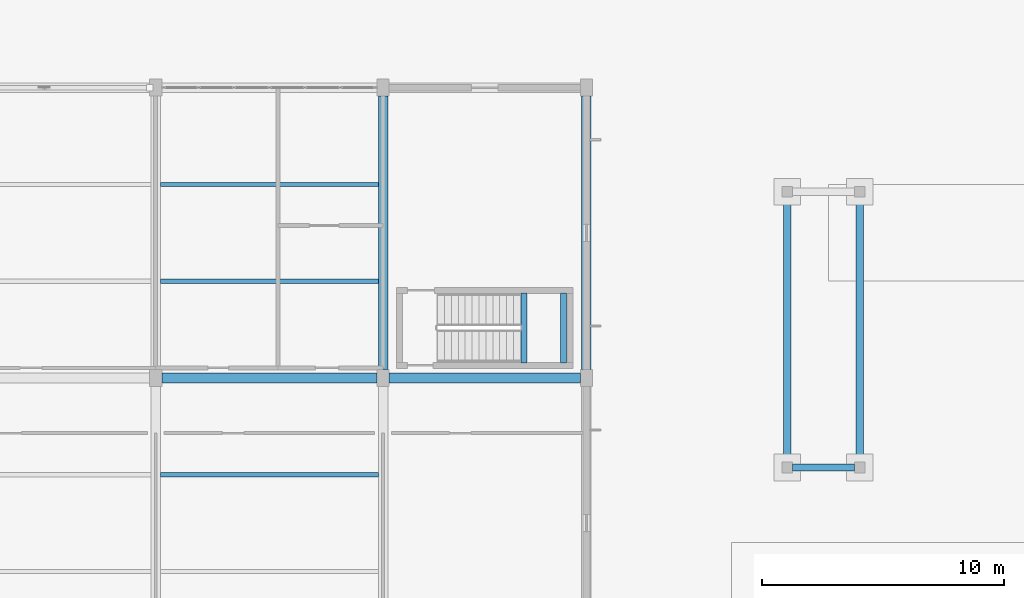
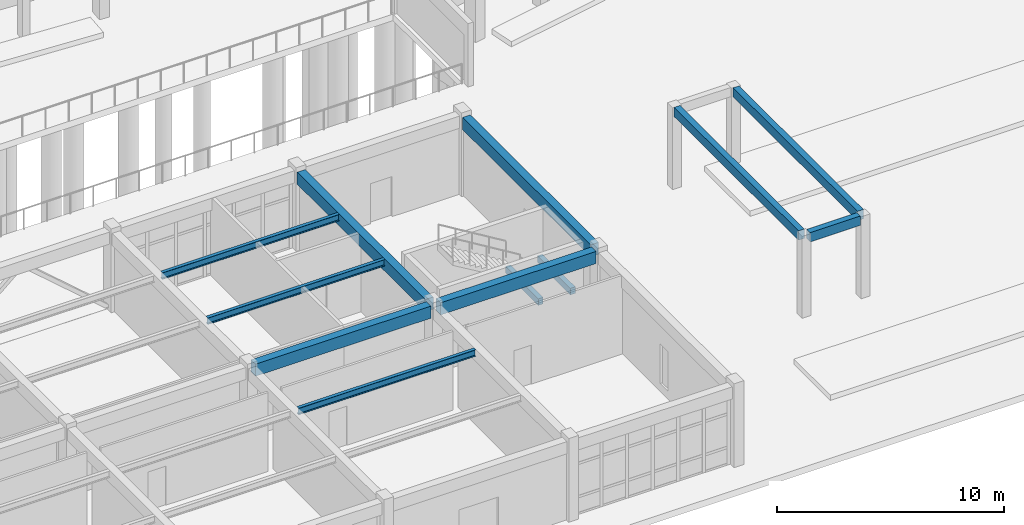
# One storey, part 43 of 154: 12 beams.
"""IFC4 building model written with IfcOpenShell, lengths in metres."""

from ifc_helpers import new_model, si_unit, direction, frame, origin, origin_2d, place, context, subcontext, project, spatial, rectangle, i_section, extrude, material, material_profile, profile_set, type_object, element, save


model = new_model("IFC4")

# Units and contexts
model_context = context("Model", 3, precision=1e-05, world=origin(), true_north=direction((0.0, 1.0)))
body_context = subcontext(model_context, "Body", "Model", "MODEL_VIEW")
ifc_project = project(units=[si_unit("LENGTHUNIT", "METRE"), si_unit("AREAUNIT", "SQUARE_METRE"), si_unit("VOLUMEUNIT", "CUBIC_METRE"), si_unit("PLANEANGLEUNIT", "RADIAN"), si_unit("MASSUNIT", "GRAM", prefix="KILO")], contexts=[model_context])

# Site, building, storey
site_placement = place(None, origin())
site = spatial("IfcSite", under=ifc_project, at=site_placement, CompositionType="ELEMENT")
building_placement = place(site_placement, origin())
building = spatial("IfcBuilding", under=site, at=building_placement, Name="Kestramere Prow Commons", CompositionType="ELEMENT")
storey_placement = place(building_placement, origin())
storey = spatial("IfcBuildingStorey", under=building, at=storey_placement, Name="L00", CompositionType="ELEMENT", Elevation=0.0)

# Beams
ifc_material_1 = material(Name="Precast concrete C40/50", Category="concrete")
ifc_material_profile_1 = material_profile(ifc_material_1, rectangle(XDim=0.39990234375, YDim=0.64990234375, at=origin_2d()), Name="PC-BM 400x650")
ifc_profile_set_1 = profile_set([ifc_material_profile_1], Name="Precast concrete C40/50")
beam_type_1 = type_object("IfcBeamType", Name="BM-MK-01 PC-BM 400x650", PredefinedType="BEAM", material=ifc_profile_set_1)
beam_1_placement = place(storey_placement, frame((94.449951171875, 12.0, 3.925048828125), z_axis=(1.0, 0.0, 0.0), x_axis=(0.0, 1.0, 0.0)))
element("IfcBeam", 1, at=beam_1_placement, inside=storey, type_object=beam_type_1, Name="Market Spine L00 Beam X 2-5", PredefinedType="BEAM", context=body_context, shape_type="SweptSolid", body=[
    extrude(rectangle(XDim=0.39990234375, YDim=0.64990234375, at=origin_2d()), origin(), (0.0, 0.0, 1.0), 8.900146484375),
])
beam_2_placement = place(storey_placement, frame((103.85009765625, 12.0, 3.925048828125), z_axis=(1.0, 0.0, 0.0), x_axis=(0.0, 1.0, 0.0)))
element("IfcBeam", 2, at=beam_2_placement, inside=storey, type_object=beam_type_1, Name="Market Spine L00 Beam X 2-6", PredefinedType="BEAM", context=body_context, shape_type="SweptSolid", body=[
    extrude(rectangle(XDim=0.39990234375, YDim=0.64990234375, at=origin_2d()), origin(), (0.0, 0.0, 1.0), 7.89990234375),
])
beam_3_placement = place(storey_placement, frame((103.60009765625, 12.35009765625, 3.925048828125), z_axis=(0.0, 1.0, 0.0), x_axis=(-1.0, 0.0, 0.0)))
element("IfcBeam", 3, at=beam_3_placement, inside=storey, type_object=beam_type_1, Name="Market Spine L00 Beam Y 6-2", PredefinedType="BEAM", context=body_context, shape_type="SweptSolid", body=[
    extrude(rectangle(XDim=0.39990234375, YDim=0.64990234375, at=origin_2d()), origin(), (0.0, 0.0, 1.0), 11.2998046875),
])
ifc_material_profile_2 = material_profile(ifc_material_1, rectangle(XDim=0.39990234375, YDim=0.64990234375, at=origin_2d()), Name="PC-BM 400x650")
ifc_profile_set_2 = profile_set([ifc_material_profile_2], Name="Precast concrete C40/50")
beam_type_2 = type_object("IfcBeamType", Name="BM-MK-01 PC-BM 400x650 (EX)", PredefinedType="BEAM", material=ifc_profile_set_2)
beam_4_placement = place(storey_placement, frame((112.0, 12.35009765625, 3.925048828125), z_axis=(0.0, 1.0, 0.0), x_axis=(-1.0, 0.0, 0.0)))
element("IfcBeam", 4, at=beam_4_placement, inside=storey, type_object=beam_type_2, Name="Market Spine L00 Beam Y 7-2", PredefinedType="BEAM", context=body_context, shape_type="SweptSolid", body=[
    extrude(rectangle(XDim=0.39990234375, YDim=0.64990234375, at=origin_2d()), origin(), (0.0, 0.0, 1.0), 11.2998046875),
])
ifc_material_2 = material(Name="Concrete C40/50", Category="concrete")
ifc_material_profile_3 = material_profile(ifc_material_2, rectangle(XDim=0.25, YDim=0.35009765625, at=origin_2d()), Name="PC-BM 250x350")
ifc_profile_set_3 = profile_set([ifc_material_profile_3], Name="Concrete C40/50")
beam_type_3 = type_object("IfcBeamType", Name="BM-ST-TRIM", PredefinedType="BEAM", material=ifc_profile_set_3)
for number, where, z_axis, x_axis, name in (
    (5, (109.419921875, 12.6298828125, 1.875), (0.0, 1.0, 0.0), (-1.0, 0.0, 0.0), "ST-M2 L00 Landing Trimmer Beam 1A"),
    (6, (111.050048828125, 12.6298828125, 1.875), (0.0, 1.0, 0.0), (-1.0, 0.0, 0.0), "ST-M2 L00 Landing Trimmer Beam 1B"),
):
    element("IfcBeam", number, at=place(storey_placement, frame(where, z_axis=z_axis, x_axis=x_axis)), inside=storey, type_object=beam_type_3, Name=name, PredefinedType="BEAM", context=body_context, shape_type="SweptSolid", body=[
        extrude(rectangle(XDim=0.25, YDim=0.35009765625, at=origin_2d()), origin(), (0.0, 0.0, 1.0), 2.89013671875),
    ])
ifc_material_profile_4 = material_profile(ifc_material_1, rectangle(XDim=0.300048828125, YDim=0.5, at=origin_2d()), Name="PC-BM 300x500")
ifc_profile_set_4 = profile_set([ifc_material_profile_4], Name="Precast concrete C40/50")
beam_type_4 = type_object("IfcBeamType", Name="BM-TIE-01 PC-BM 300x500 (EX)", PredefinedType="BEAM", material=ifc_profile_set_4)
beam_5_placement = place(storey_placement, frame((120.52490234375, 8.300048828125, 4.14990234375), z_axis=(1.0, 0.0, 0.0), x_axis=(0.0, 1.0, 0.0)))
element("IfcBeam", 7, at=beam_5_placement, inside=storey, type_object=beam_type_4, Name="Canopy EAST Transverse Beam 1", PredefinedType="BEAM", context=body_context, shape_type="SweptSolid", body=[
    extrude(rectangle(XDim=0.300048828125, YDim=0.5, at=origin_2d()), origin(), (0.0, 0.0, 1.0), 2.550048828125),
])
for number, where, z_axis, x_axis, name in (
    (8, (120.300048828125, 8.52490234375, 4.14990234375), (0.0, 1.0, 0.0), (-1.0, 0.0, 0.0), "Canopy EAST Longitudinal Beam 1"),
    (9, (123.300048828125, 8.52490234375, 4.14990234375), (0.0, 1.0, 0.0), (-1.0, 0.0, 0.0), "Canopy EAST Longitudinal Beam 2"),
):
    element("IfcBeam", number, at=place(storey_placement, frame(where, z_axis=z_axis, x_axis=x_axis)), inside=storey, type_object=beam_type_4, Name=name, PredefinedType="BEAM", context=body_context, shape_type="SweptSolid", body=[
        extrude(rectangle(XDim=0.300048828125, YDim=0.5, at=origin_2d()), origin(), (0.0, 0.0, 1.0), 10.9501953125),
    ])
ifc_material_3 = material(Name="Steel S355JR", Category="steel")
ifc_material_profile_5 = material_profile(ifc_material_3, i_section(OverallWidth=0.17138671875, OverallDepth=0.35498046875, WebThickness=0.00732421875, FlangeThickness=0.011474609375, FilletRadius=0.01025390625, at=origin_2d()), Name="UB 356x171x51")
ifc_profile_set_5 = profile_set([ifc_material_profile_5], Name="Steel S355JR")
beam_type_5 = type_object("IfcBeamType", Name="JST-MK-01 UB 356x171x51", PredefinedType="JOIST", material=ifc_profile_set_5)
for number, where, z_axis, x_axis, name in (
    (10, (94.39990234375, 8.0, 4.072509765625), (1.0, 0.0, 0.0), (0.0, 1.0, 0.0), "Market Spine L00 Secondary Joist 5-8"),
    (11, (94.39990234375, 16.0, 4.072509765625), (1.0, 0.0, 0.0), (0.0, 1.0, 0.0), "Market Spine L00 Secondary Joist 5-16"),
    (12, (94.39990234375, 20.0, 4.072509765625), (1.0, 0.0, 0.0), (0.0, 1.0, 0.0), "Market Spine L00 Secondary Joist 5-20"),
):
    element("IfcBeam", number, at=place(storey_placement, frame(where, z_axis=z_axis, x_axis=x_axis)), inside=storey, type_object=beam_type_5, Name=name, PredefinedType="JOIST", context=body_context, shape_type="SweptSolid", body=[
        extrude(i_section(OverallWidth=0.17138671875, OverallDepth=0.35498046875, WebThickness=0.00732421875, FlangeThickness=0.011474609375, FilletRadius=0.01025390625, at=origin_2d()), origin(), (0.0, 0.0, 1.0), 9.0),
    ])

save(model, "model.ifc")
